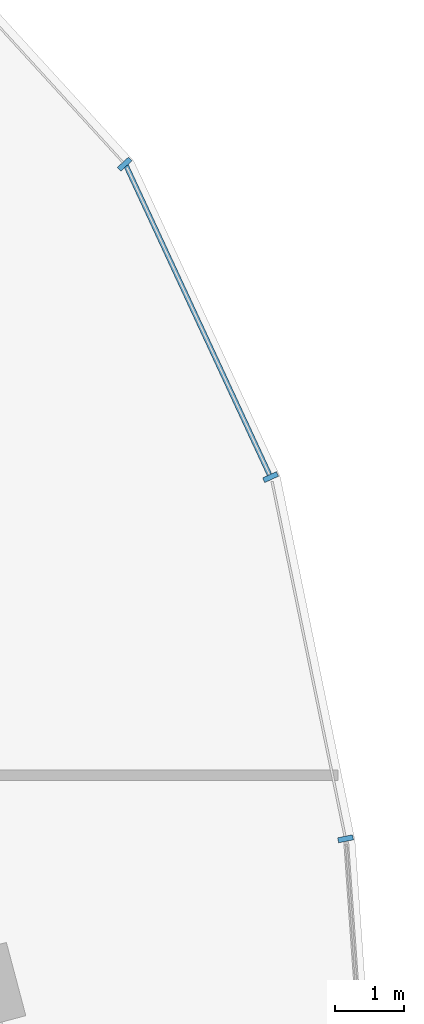
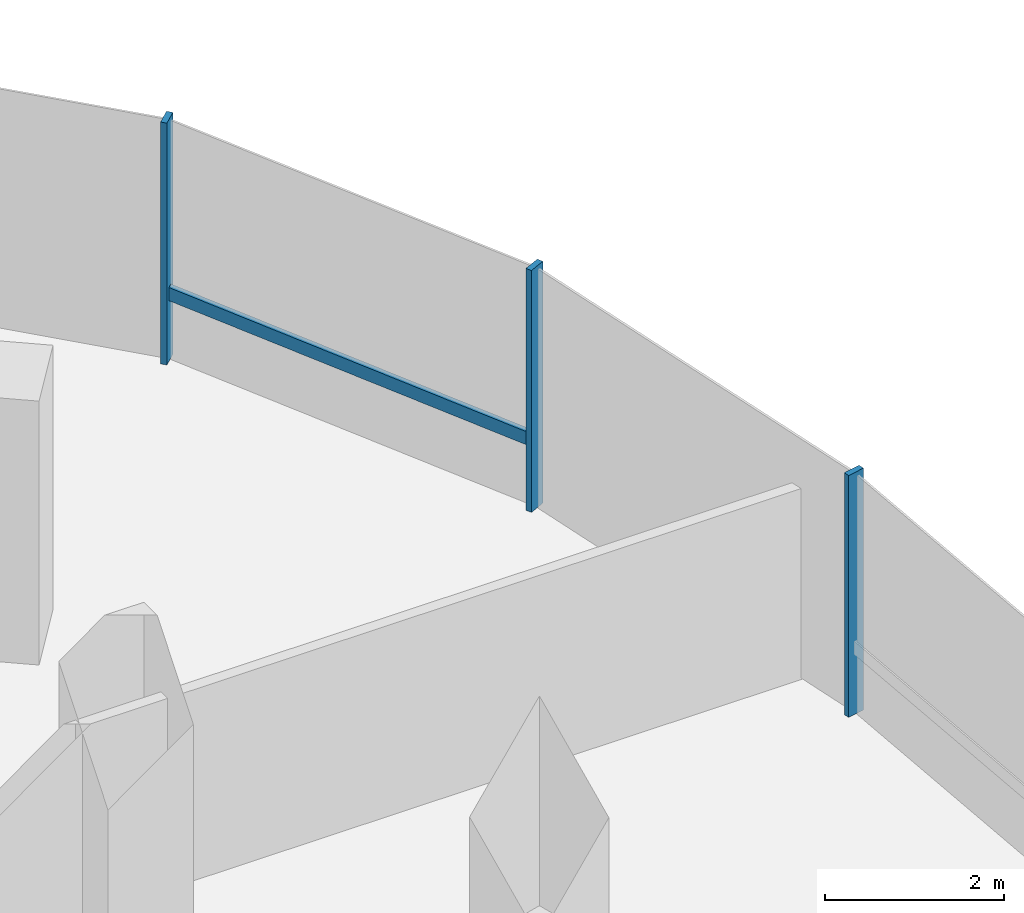
# One storey, part 8 of 21: 4 members, 1 element without a shape of its own.
"""IFC4 building model written with IfcOpenShell, lengths in metres."""

from ifc_helpers import new_model, si_unit, direction, frame, origin, origin_2d, place, context, subcontext, project, spatial, rectangle, extrude, material, material_profile, profile_set, type_object, element, aggregate, save


model = new_model("IFC4")

# Units and contexts
model_context = context("Model", 3, precision=1e-05, world=origin(), true_north=direction((0.0, 1.0)))
body_context = subcontext(model_context, "Body", "Model", "MODEL_VIEW")
ifc_project = project(units=[si_unit("LENGTHUNIT", "METRE"), si_unit("AREAUNIT", "SQUARE_METRE"), si_unit("VOLUMEUNIT", "CUBIC_METRE"), si_unit("PLANEANGLEUNIT", "RADIAN"), si_unit("MASSUNIT", "GRAM", prefix="KILO"), si_unit("THERMODYNAMICTEMPERATUREUNIT", "KELVIN"), si_unit("POWERUNIT", "WATT")], contexts=[model_context])

# Site, building, storey
site_placement = place(None, origin())
site = spatial("IfcSite", under=ifc_project, at=site_placement, CompositionType="ELEMENT")
building_placement = place(site_placement, origin())
building = spatial("IfcBuilding", under=site, at=building_placement, Name="Cundina Bronze Exchange", CompositionType="ELEMENT")
storey_placement = place(building_placement, frame((0.0, 0.0, 110.60009765625)))
storey = spatial("IfcBuildingStorey", under=building, at=storey_placement, Name="L28", CompositionType="ELEMENT", Elevation=110.60009765625)

# Curtain wall, members
ifc_material = material(Name="Anodised Bronze Aluminium 6063-T6", Category="aluminium")
curtain_wall_type = type_object("IfcCurtainWallType", Name="CWS-TRD-MID", PredefinedType="NOTDEFINED", material=ifc_material)
curtain_wall_placement = place(storey_placement, origin())
curtain_wall = element("IfcCurtainWall", 1, at=curtain_wall_placement, inside=storey, type_object=curtain_wall_type, Name="L28 CW-03 Curtain Wall Run CWR-L28-E1", PredefinedType="NOTDEFINED")
ifc_material_profile_1 = material_profile(ifc_material, rectangle(XDim=0.074951171875, YDim=0.219970703125, at=origin_2d()), Name="AL75X220", Category="aluminium")
ifc_profile_set_1 = profile_set([ifc_material_profile_1], Name="Anodised Bronze Aluminium 6063-T6")
member_type_1 = type_object("IfcMemberType", Name="CWM-MUL-220", PredefinedType="MULLION", material=ifc_profile_set_1)
member_1_placement = place(storey_placement, frame((50.717041015625, 8.67822265625, 0.0), z_axis=(0.0, 0.0, 1.0), x_axis=(-0.201419845156, 0.979505000486, 0.0)))
member_1 = element("IfcMember", 2, at=member_1_placement, type_object=member_type_1, Name="CW-03 Mullion 2", PredefinedType="MULLION", context=body_context, shape_type="SweptSolid", body=[
    extrude(rectangle(XDim=0.074951171875, YDim=0.219970703125, at=origin_2d()), origin(), (0.0, 0.0, 1.0), 3.2998046875),
])
member_2_placement = place(storey_placement, frame((49.6279296875, 13.931884765625, 0.0), z_axis=(0.0, 0.0, 1.0), x_axis=(-0.42087749791, 0.907117485088, 0.0)))
member_2 = element("IfcMember", 3, at=member_2_placement, type_object=member_type_1, Name="CW-03 Mullion 3", PredefinedType="MULLION", context=body_context, shape_type="SweptSolid", body=[
    extrude(rectangle(XDim=0.074951171875, YDim=0.219970703125, at=origin_2d()), origin(), (0.0, 0.0, 1.0), 3.2998046875),
])
member_3_placement = place(storey_placement, frame((47.508544921875, 18.47705078125, 0.0), z_axis=(0.0, 0.0, 1.0), x_axis=(-0.674302387584, 0.738455340626, 0.0)))
member_3 = element("IfcMember", 4, at=member_3_placement, type_object=member_type_1, Name="CW-03 Mullion 4", PredefinedType="MULLION", context=body_context, shape_type="SweptSolid", body=[
    extrude(rectangle(XDim=0.074951171875, YDim=0.219970703125, at=origin_2d()), origin(), (0.0, 0.0, 1.0), 3.2998046875),
])
ifc_material_profile_2 = material_profile(ifc_material, rectangle(XDim=0.070068359375, YDim=0.179931640625, at=origin_2d()), Name="AL70X180", Category="aluminium")
ifc_profile_set_2 = profile_set([ifc_material_profile_2], Name="Anodised Bronze Aluminium 6063-T6")
member_type_2 = type_object("IfcMemberType", Name="CWM-TRN-180", PredefinedType="USERDEFINED", material=ifc_profile_set_2)
member_4_placement = place(storey_placement, frame((49.610595703125, 13.96923828125, 0.919921875), z_axis=(-0.420811422796, 0.907148139195, 0.0), x_axis=(-0.907148139195, -0.420811422796, 0.0)))
member_4 = element("IfcMember", 5, at=member_4_placement, type_object=member_type_2, Name="CW-03 Spandrel Transom 3", ObjectType="TRANSOM", PredefinedType="USERDEFINED", context=body_context, shape_type="SweptSolid", body=[
    extrude(rectangle(XDim=0.070068359375, YDim=0.179931640625, at=origin_2d()), origin(), (0.0, 0.0, 1.0), 4.95166015625),
])
aggregate(curtain_wall, [member_1, member_2, member_4, member_3])

save(model, "model.ifc")
